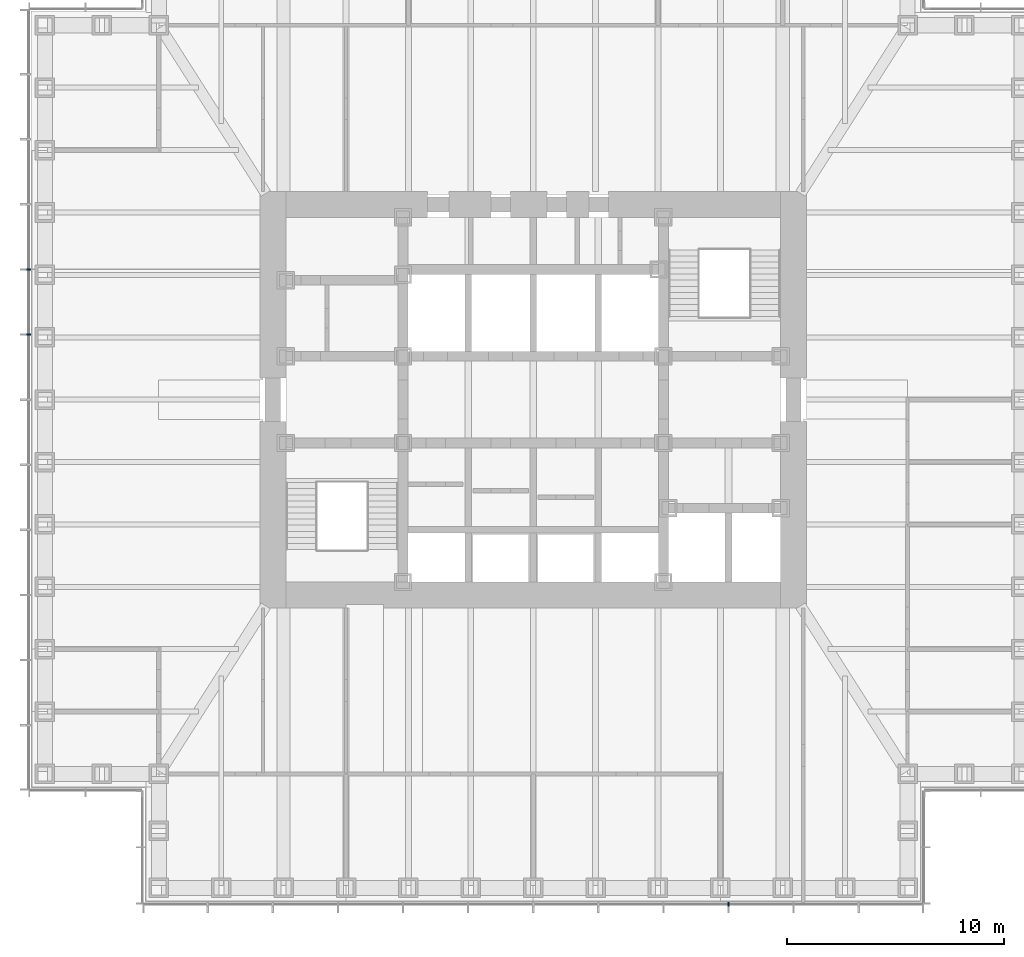
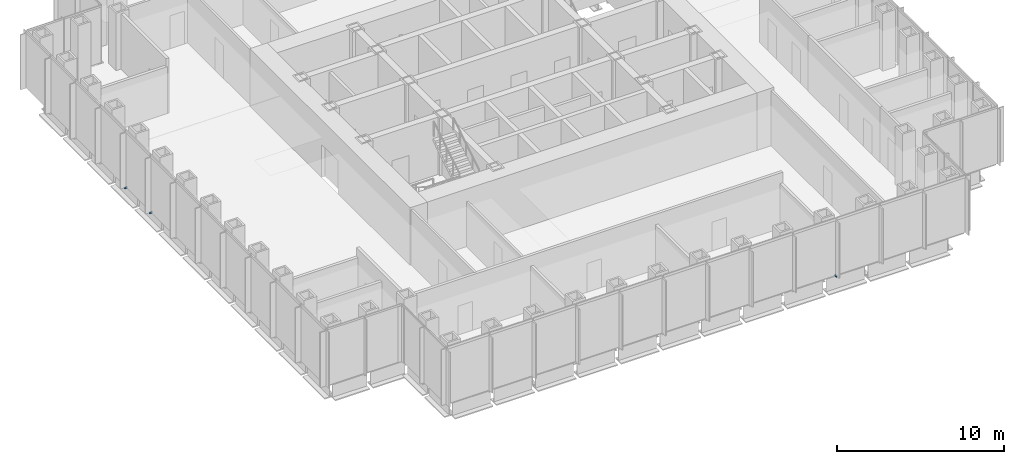
# One storey, part 13 of 17: 3 discrete accessories.
"""IFC4 building model written with IfcOpenShell, lengths in metres."""

from ifc_helpers import new_model, si_unit, direction, frame, origin, origin_2d, place, context, subcontext, project, spatial, rectangle, extrude, element, save


model = new_model("IFC4")

# Units and contexts
model_context = context("Model", 3, precision=1e-05, world=origin(), true_north=direction((0.0, 1.0)))
body_context = subcontext(model_context, "Body", "Model", "MODEL_VIEW")
ifc_project = project(units=[si_unit("LENGTHUNIT", "METRE"), si_unit("AREAUNIT", "SQUARE_METRE"), si_unit("VOLUMEUNIT", "CUBIC_METRE"), si_unit("PLANEANGLEUNIT", "RADIAN"), si_unit("MASSUNIT", "GRAM", prefix="KILO")], contexts=[model_context])

# Site, building, storey
site_placement = place(None, origin())
site = spatial("IfcSite", under=ifc_project, at=site_placement, CompositionType="ELEMENT")
building_placement = place(site_placement, origin())
building = spatial("IfcBuilding", under=site, at=building_placement, Name="Daluyong Arena Tower", CompositionType="ELEMENT")
storey_placement = place(building_placement, frame((0.0, 0.0, 166.89990234375)))
storey = spatial("IfcBuildingStorey", under=building, at=storey_placement, Name="L37", CompositionType="ELEMENT", Elevation=166.89990234375)

# Discrete accessories
for number, where, z_axis, x_axis, name in (
    (1, (65.0, 56.75, -0.099853515625), (0.0, 0.0, 1.0), (1.0, 0.0, 0.0), "curtain wall L37 S anchor bracket 10"),
    (2, (32.75, 86.0, -0.099853515625), (0.0, 0.0, 1.0), (0.0, -1.0, 0.0), "curtain wall L37 W anchor bracket 5"),
    (3, (32.75, 83.0, -0.099853515625), (0.0, 0.0, 1.0), (0.0, -1.0, 0.0), "curtain wall L37 W anchor bracket 6"),
):
    element("IfcDiscreteAccessory", number, at=place(storey_placement, frame(where, z_axis=z_axis, x_axis=x_axis)), inside=storey, Name=name, PredefinedType="BRACKET", context=body_context, shape_type="SweptSolid", body=[
        extrude(rectangle(XDim=0.080078125, YDim=0.199951171875, at=origin_2d()), origin(), (0.0, 0.0, 1.0), 0.10009765625),
    ])

save(model, "model.ifc")
